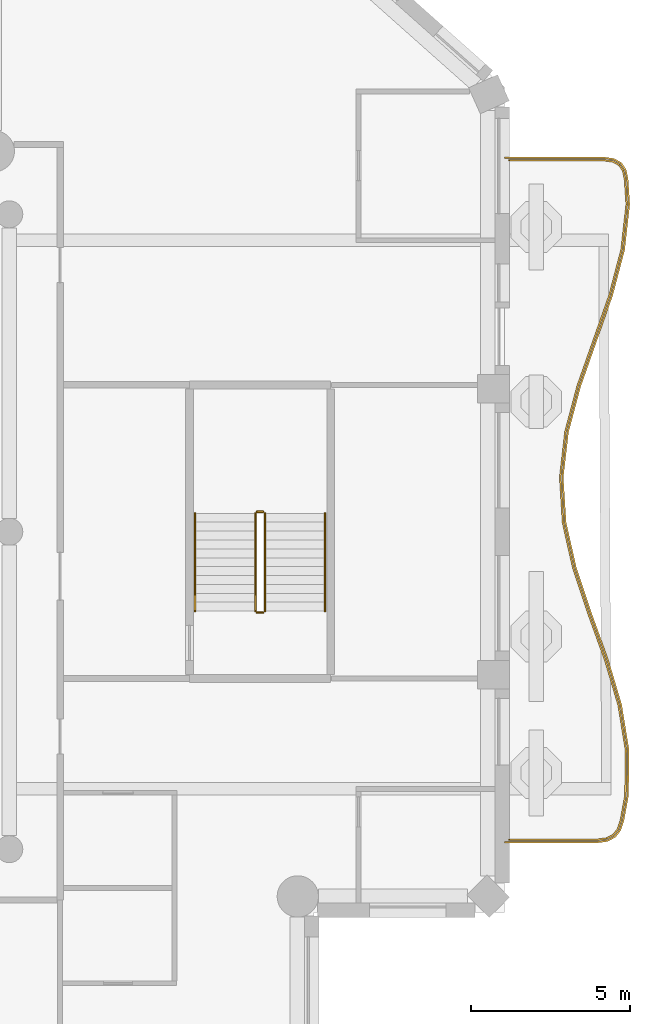
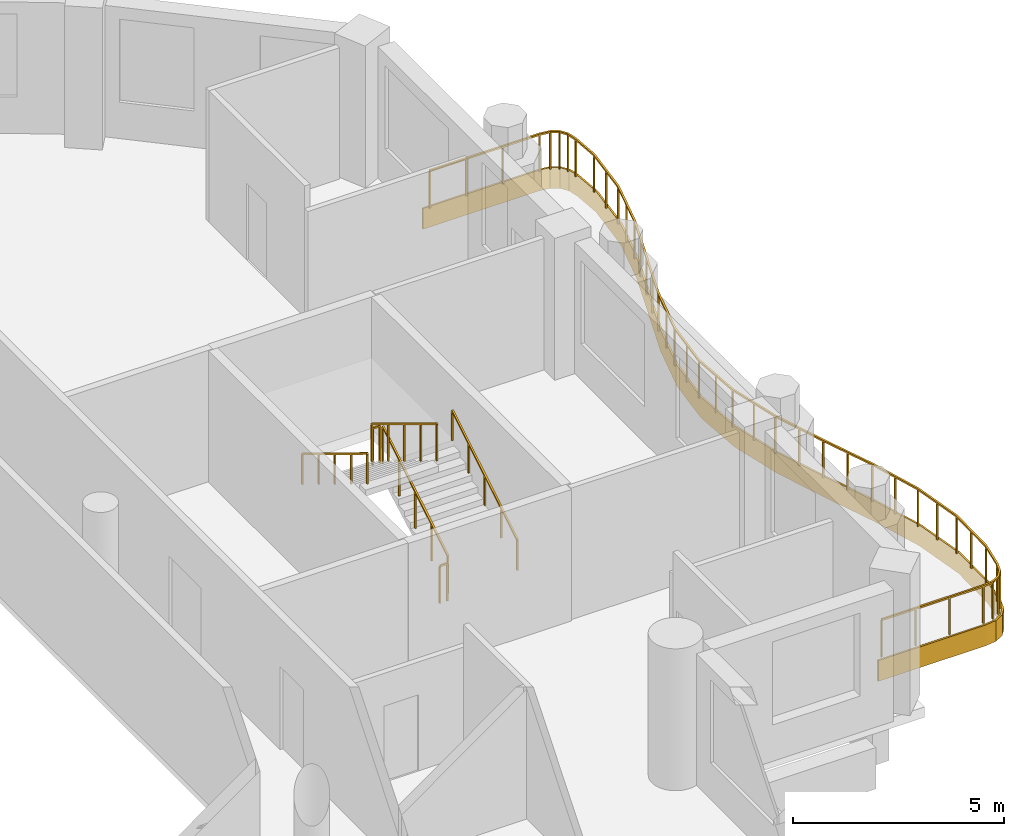
# One storey, part 13 of 15: 7 railings, 1 covering.
"""IFC4 building model written with IfcOpenShell, lengths in metres."""

import ifcopenshell
import ifcopenshell.guid

model = None  # the IFC model being written
_history = None  # IfcOwnerHistory: only IFC2X3 demands one
_inside = {}  # id of a spatial element -> (the spatial element, [elements in it])
_under = {}  # id of a project, library or spatial element -> (it, [spatial elements below it])
_declared = {}  # id of a project -> (the project, [libraries it declares])
_typed = {}  # id of a type object -> (the type object, [elements of that type])
_made_of = {}  # id of a material, layer set ... -> (it, [elements and type objects made of it])


def new_model(schema):
    """Start an empty IFC model of exactly this schema.

    Asked for "IFC4X3", IfcOpenShell would pick the latest addendum, in which some entities
    have other attributes; the version numbers below select the first issue.
    IFC2X3 requires an IfcOwnerHistory on every rooted entity: one is made here for all.
    """
    global model, _history
    if schema == "IFC4X3":
        model = ifcopenshell.file(schema_version=(4, 3, 0, 0))
    else:
        model = ifcopenshell.file(schema=schema)
    _inside.clear()
    _under.clear()
    _declared.clear()
    _typed.clear()
    _made_of.clear()
    _history = None
    if model.schema == "IFC2X3":
        org = make("IfcOrganization", Name="unknown")
        user = make(
            "IfcPersonAndOrganization",
            ThePerson=make("IfcPerson", FamilyName="unknown"),
            TheOrganization=org,
        )
        app = make(
            "IfcApplication",
            ApplicationDeveloper=org,
            Version="unknown",
            ApplicationFullName="unknown",
            ApplicationIdentifier="unknown",
        )
        _history = make(
            "IfcOwnerHistory",
            OwningUser=user,
            OwningApplication=app,
            ChangeAction="ADDED",
            CreationDate=0,
        )
    return model


def make(cls, **values):
    """One entity of the class cls with the attributes given. An attribute that is None is left unset."""
    return model.create_entity(
        cls, **{name: value for name, value in values.items() if value is not None}
    )


def rooted(cls, **values):
    """An entity with a GlobalId (a new one), such as an element, a storey or a relation."""
    return make(cls, GlobalId=ifcopenshell.guid.new(), OwnerHistory=_history, **values)


def si_unit(unit_type, name, prefix=None):
    """IfcSIUnit, for example si_unit("LENGTHUNIT", "METRE", prefix="MILLI")."""
    return make("IfcSIUnit", UnitType=unit_type, Prefix=prefix, Name=name)


def assignment(units):
    """IfcUnitAssignment: the units of a project."""
    return None if units is None else make("IfcUnitAssignment", Units=units)


def point(xyz):
    """IfcCartesianPoint."""
    return None if xyz is None else make("IfcCartesianPoint", Coordinates=xyz)


def direction(xyz):
    """IfcDirection."""
    return None if xyz is None else make("IfcDirection", DirectionRatios=xyz)


def frame(location, z_axis=None, x_axis=None):
    """IfcAxis2Placement3D, a coordinate frame: its origin and axes. An axis left out is left unset."""
    return make(
        "IfcAxis2Placement3D",
        Location=point(location),
        Axis=direction(z_axis),
        RefDirection=direction(x_axis),
    )


def frame_2d(location, x_axis=None):
    """IfcAxis2Placement2D, a coordinate frame in the plane: its origin and x axis."""
    return make(
        "IfcAxis2Placement2D", Location=point(location), RefDirection=direction(x_axis)
    )


def origin():
    """The frame at (0, 0, 0) with its axes left unset."""
    return frame((0.0, 0.0, 0.0))


def origin_2d():
    """The frame at (0, 0) in the plane with its x axis left unset."""
    return frame_2d((0.0, 0.0))


def place(relative_to, where):
    """IfcLocalPlacement: puts the frame where relative to a parent placement (None: the world)."""
    return make(
        "IfcLocalPlacement", PlacementRelTo=relative_to, RelativePlacement=where
    )


def context(
    kind, dimensions, precision=None, world=None, true_north=None, identifier=None
):
    """IfcGeometricRepresentationContext, for example the 3D "Model" context."""
    return make(
        "IfcGeometricRepresentationContext",
        ContextIdentifier=identifier,
        ContextType=kind,
        CoordinateSpaceDimension=dimensions,
        Precision=precision,
        WorldCoordinateSystem=world,
        TrueNorth=true_north,
    )


def subcontext(parent, identifier, kind, view, scale=None):
    """IfcGeometricRepresentationSubContext, for example "Body" below "Model"."""
    return make(
        "IfcGeometricRepresentationSubContext",
        ContextIdentifier=identifier,
        ContextType=kind,
        ParentContext=parent,
        TargetScale=scale,
        TargetView=view,
    )


def project(units=None, contexts=None):
    """IfcProject with its units and contexts."""
    return rooted(
        "IfcProject",
        Name="project",
        RepresentationContexts=contexts,
        UnitsInContext=assignment(units),
    )


def spatial(cls, under=None, at=None, **own):
    """A site, building, storey or space (cls), placed at a placement, below another one or the project."""
    s = rooted(cls, ObjectPlacement=at, **own)
    if under is not None:
        _under.setdefault(under.id(), (under, []))[1].append(s)
    return s


def polyline(points):
    """IfcPolyline through the points."""
    return make("IfcPolyline", Points=[point(p) for p in points])


def profile(cls, at=None, kind="AREA", **sizes):
    """A parametric profile (cls). Its sizes go by their IFC names, for example OverallWidth=200.0."""
    return make(cls, ProfileType=kind, Position=at, **sizes)


def rectangle(**sizes):
    """IfcRectangleProfileDef."""
    return profile("IfcRectangleProfileDef", **sizes)


def outline(outer, holes=None, kind="AREA"):
    """IfcArbitraryClosedProfileDef: a profile drawn as a closed curve; with holes, ...WithVoids."""
    if holes is None:
        return make("IfcArbitraryClosedProfileDef", ProfileType=kind, OuterCurve=outer)
    return make(
        "IfcArbitraryProfileDefWithVoids",
        ProfileType=kind,
        OuterCurve=outer,
        InnerCurves=holes,
    )


def extrude(swept, where, along, depth):
    """IfcExtrudedAreaSolid: the profile swept, set in the frame where, extruded along a direction by depth."""
    return make(
        "IfcExtrudedAreaSolid",
        SweptArea=swept,
        Position=where,
        ExtrudedDirection=direction(along),
        Depth=depth,
    )


def shape(context_of_items, identifier, shape_type, items):
    """IfcShapeRepresentation: the items that make up one representation, for example the "Body"."""
    return make(
        "IfcShapeRepresentation",
        ContextOfItems=context_of_items,
        RepresentationIdentifier=identifier,
        RepresentationType=shape_type,
        Items=items,
    )


def material(Name=None, Category=None):
    """IfcMaterial."""
    return make("IfcMaterial", Name=Name, Category=Category)


def layer(
    of_material, thickness, ventilated=None, Name=None, Category=None, Priority=None
):
    """IfcMaterialLayer: one layer of a wall or slab, of a material (None: an air gap)."""
    return make(
        "IfcMaterialLayer",
        Material=of_material,
        LayerThickness=thickness,
        IsVentilated=ventilated,
        Name=Name,
        Category=Category,
        Priority=Priority,
    )


def layer_set(layers, Name=None):
    """IfcMaterialLayerSet."""
    return make("IfcMaterialLayerSet", MaterialLayers=layers, LayerSetName=Name)


def made_of(thing, what):
    """Note that an element or type object is made of a material, layer set ...; save() writes the relation."""
    if what is not None:
        _made_of.setdefault(what.id(), (what, []))[1].append(thing)
    return thing


def type_object(cls, material=None, **own):
    """A type object (cls), such as IfcWallType, which elements share."""
    return made_of(rooted(cls, **own), material)


def element(
    cls,
    number,
    at=None,
    inside=None,
    cuts=None,
    type_object=None,
    material=None,
    context=None,
    identifier="Body",
    shape_type=None,
    held_by="IfcProductDefinitionShape",
    body=None,
    shapes=None,
    **own,
):
    """One element of the class cls, such as IfcWall. Its Tag is "e" and its number.

    at: its placement. inside: the storey or other place that contains it. cuts: it is an
    opening in that element (IfcRelVoidsElement). A single representation is given by context,
    identifier, shape_type and body (its items); several are given by shapes. held_by: the class
    of the entity that holds the representations. save() writes the other relations.
    """
    e = rooted(cls, Tag="e%d" % number, ObjectPlacement=at, **own)
    if body is not None:
        shapes = [shape(context, identifier, shape_type, body)]
    if shapes is not None:
        e.Representation = make(held_by, Representations=shapes)
    if inside is not None:
        _inside.setdefault(inside.id(), (inside, []))[1].append(e)
    if cuts is not None:
        rooted(
            "IfcRelVoidsElement", RelatingBuildingElement=cuts, RelatedOpeningElement=e
        )
    if type_object is not None:
        _typed.setdefault(type_object.id(), (type_object, []))[1].append(e)
    return made_of(e, material)


def aggregate(whole, parts):
    """IfcRelAggregates: a whole, such as a stair, and the parts it consists of."""
    return rooted("IfcRelAggregates", RelatingObject=whole, RelatedObjects=parts)


def save(model, path):
    """Write the relations noted so far, then the file.

    IfcRelAggregates (storeys below a building ...), IfcRelContainedInSpatialStructure (elements
    in a storey), IfcRelDefinesByType, IfcRelAssociatesMaterial and IfcRelDeclares: one each for
    every whole, place, type object, material and project.
    """
    for whole, parts in _under.values():
        aggregate(whole, parts)
    for where, things in _inside.values():
        rooted(
            "IfcRelContainedInSpatialStructure",
            RelatedElements=things,
            RelatingStructure=where,
        )
    for kind, things in _typed.values():
        rooted("IfcRelDefinesByType", RelatedObjects=things, RelatingType=kind)
    for what, things in _made_of.values():
        rooted("IfcRelAssociatesMaterial", RelatedObjects=things, RelatingMaterial=what)
    for by, libraries in _declared.values():
        rooted("IfcRelDeclares", RelatingContext=by, RelatedDefinitions=libraries)
    model.write(path)


model = new_model("IFC4")

# Units and contexts
model_context = context("Model", 3, precision=1e-05, world=origin(), true_north=direction((0.0, 1.0)))
body_context = subcontext(model_context, "Body", "Model", "MODEL_VIEW")
ifc_project = project(units=[si_unit("LENGTHUNIT", "METRE"), si_unit("AREAUNIT", "SQUARE_METRE"), si_unit("VOLUMEUNIT", "CUBIC_METRE"), si_unit("PLANEANGLEUNIT", "RADIAN"), si_unit("MASSUNIT", "GRAM", prefix="KILO")], contexts=[model_context])

# Site, building, storey
site_placement = place(None, origin())
site = spatial("IfcSite", under=ifc_project, at=site_placement, CompositionType="ELEMENT")
building_placement = place(site_placement, origin())
building = spatial("IfcBuilding", under=site, at=building_placement, Name="Cypress Arch Tower", CompositionType="ELEMENT")
storey_placement = place(building_placement, frame((0.0, 0.0, 292.60009765625)))
storey = spatial("IfcBuildingStorey", under=building, at=storey_placement, Name="L66", CompositionType="ELEMENT", Elevation=292.60009765625)

# Covering
ifc_material_1 = material(Name="White powder-coated aluminium fascia", Category="aluminium")
ifc_layer = layer(ifc_material_1, 0.050048828125)
ifc_layer_set = layer_set([ifc_layer], Name="Balcony fascia BF50")
covering_type = type_object("IfcCoveringType", Name="Balcony fascia BF50", PredefinedType="CLADDING", material=ifc_layer_set)
covering_placement = place(storey_placement, frame((0.0, 0.0, -0.60009765625)))
element("IfcCovering", 1, at=covering_placement, inside=storey, type_object=covering_type, Name="Balcony fascia L66-C17", PredefinedType="CLADDING", context=body_context, shape_type="SweptSolid", body=[
    extrude(outline(polyline([(27.7587890625, 11.800048828125), (28.057373046875, 11.7578125), (28.285888671875, 11.626220703125), (28.4326171875, 11.406982421875), (28.49462890625, 11.11181640625), (28.548095703125, 10.3154296875), (28.386474609375, 8.8740234375), (28.0068359375, 7.435302734375), (27.503173828125, 6.0), (26.99951171875, 4.568603515625), (26.61865234375, 3.140625), (26.453125, 1.71533203125), (26.54296875, 0.29052734375), (26.8662109375, -1.136474609375), (27.344970703125, -2.56689453125), (27.8623046875, -4.0009765625), (28.291259765625, -5.438720703125), (28.52587890625, -6.879638671875), (28.507568359375, -8.321533203125), (28.3603515625, -9.117431640625), (28.26318359375, -9.411376953125), (28.091064453125, -9.6279296875), (27.8466796875, -9.758056640625), (27.5400390625, -9.800048828125), (24.60107421875, -9.800048828125), (24.60107421875, -9.75), (27.53662109375, -9.75), (27.8310546875, -9.709716796875), (28.058349609375, -9.5888671875), (28.218505859375, -9.38720703125), (28.311767578125, -9.10498046875), (28.45751953125, -8.316650390625), (28.475830078125, -6.88330078125), (28.242431640625, -5.449951171875), (27.81494140625, -4.0166015625), (27.2978515625, -2.583251953125), (26.818115234375, -1.14990234375), (26.4931640625, 0.283447265625), (26.403076171875, 1.716552734375), (26.5693359375, 3.14990234375), (26.95166015625, 4.583251953125), (27.4560546875, 6.0166015625), (27.958984375, 7.449951171875), (28.337158203125, 8.88330078125), (28.497802734375, 10.316650390625), (28.44482421875, 11.10498046875), (28.385498046875, 11.38720703125), (28.250732421875, 11.5888671875), (28.040771484375, 11.709716796875), (27.755126953125, 11.75), (24.60107421875, 11.75), (24.60107421875, 11.800048828125), (27.7587890625, 11.800048828125)])), origin(), (0.0, 0.0, 1.0), 0.60009765625),
])

# Railings
ifc_material_2 = material(Name="Powder-coated steel posts and rods, 100 mm clear between rods", Category="steel")
railing_type_1 = type_object("IfcRailingType", Name="Balcony guard GR1100", PredefinedType="GUARDRAIL", material=ifc_material_2)
railing_1_placement = place(storey_placement, frame((24.75, 11.699951171875, 0.0)))
element("IfcRailing", 2, at=railing_1_placement, inside=storey, type_object=railing_type_1, Name="Balcony guard L66-C17", PredefinedType="GUARDRAIL", context=body_context, shape_type="SweptSolid", body=[
    extrude(rectangle(XDim=0.050048828125, YDim=0.050048828125, at=origin_2d()), frame((0.0, 0.0, 1.0751953125), z_axis=(1.0, 0.0, 0.0), x_axis=(0.0, 1.0, 0.0)), (0.0, 0.0, 1.0), 3.001708984375),
    extrude(rectangle(XDim=0.050048828125, YDim=0.050048828125, at=origin_2d()), frame((3.001708984375, 0.0, 1.0751953125), z_axis=(0.990248929867, -0.139309213252, 0.0), x_axis=(0.139309213252, 0.990248929867, 0.0)), (0.0, 0.0, 1.0), 0.275146484375),
    extrude(rectangle(XDim=0.050048828125, YDim=0.050048828125, at=origin_2d()), frame((3.274169921875, -0.038330078125, 1.0751953125), z_axis=(0.866607990837, -0.498989569246, 0.0), x_axis=(0.498989569246, 0.866607990837, 0.0)), (0.0, 0.0, 1.0), 0.22119140625),
    extrude(rectangle(XDim=0.050048828125, YDim=0.050048828125, at=origin_2d()), frame((3.4658203125, -0.148681640625, 1.0751953125), z_axis=(0.555464479629, -0.831540264732, 0.0), x_axis=(0.831540264732, 0.555464479629, 0.0)), (0.0, 0.0, 1.0), 0.22119140625),
    extrude(rectangle(XDim=0.050048828125, YDim=0.050048828125, at=origin_2d()), frame((3.588623046875, -0.33251953125, 1.0751953125), z_axis=(0.205831624555, -0.978587421916, 0.0), x_axis=(0.978587421916, 0.205831624555, 0.0)), (0.0, 0.0, 1.0), 0.275146484375),
    extrude(rectangle(XDim=0.050048828125, YDim=0.050048828125, at=origin_2d()), frame((3.645263671875, -0.601806640625, 1.0751953125), z_axis=(0.067119886517, -0.997744917719, 0.0), x_axis=(0.997744917719, 0.067119886517, 0.0)), (0.0, 0.0, 1.0), 0.781982421875),
    extrude(rectangle(XDim=0.050048828125, YDim=0.050048828125, at=origin_2d()), frame((3.69775390625, -1.382080078125, 1.0751953125), z_axis=(-0.111496397554, -0.993764838044, 0.0), x_axis=(0.993764838044, -0.111496397554, 0.0)), (0.0, 0.0, 1.0), 1.434326171875),
    extrude(rectangle(XDim=0.050048828125, YDim=0.050048828125, at=origin_2d()), frame((3.537841796875, -2.807373046875, 1.0751953125), z_axis=(-0.255079131394, -0.966920181156, 0.0), x_axis=(0.966920181156, -0.255079131394, 0.0)), (0.0, 0.0, 1.0), 1.476806640625),
    extrude(rectangle(XDim=0.050048828125, YDim=0.050048828125, at=origin_2d()), frame((3.1611328125, -4.2353515625, 1.0751953125), z_axis=(-0.331060058364, -0.943609685069, 0.0), x_axis=(0.943609685069, -0.331060058364, 0.0)), (0.0, 0.0, 1.0), 1.516845703125),
    extrude(rectangle(XDim=0.050048828125, YDim=0.050048828125, at=origin_2d()), frame((2.658935546875, -5.666748046875, 1.0751953125), z_axis=(-0.332022561936, -0.943271444689, 0.0), x_axis=(0.943271444689, -0.332022561936, 0.0)), (0.0, 0.0, 1.0), 1.521484375),
    extrude(rectangle(XDim=0.050048828125, YDim=0.050048828125, at=origin_2d()), frame((2.15380859375, -7.101806640625, 1.0751953125), z_axis=(-0.257591212214, -0.966253986998, 0.0), x_axis=(0.966253986998, -0.257591212214, 0.0)), (0.0, 0.0, 1.0), 1.489013671875),
    extrude(rectangle(XDim=0.050048828125, YDim=0.050048828125, at=origin_2d()), frame((1.770263671875, -8.54052734375, 1.0751953125), z_axis=(-0.11541592735, -0.993317252299, 0.0), x_axis=(0.993317252299, -0.11541592735, 0.0)), (0.0, 0.0, 1.0), 1.451171875),
    extrude(rectangle(XDim=0.050048828125, YDim=0.050048828125, at=origin_2d()), frame((1.602783203125, -9.98193359375, 1.0751953125), z_axis=(0.062862218752, -0.99802221491, 0.0), x_axis=(0.99802221491, 0.062862218752, 0.0)), (0.0, 0.0, 1.0), 1.44482421875),
    extrude(rectangle(XDim=0.050048828125, YDim=0.050048828125, at=origin_2d()), frame((1.693603515625, -11.423828125, 1.0751953125), z_axis=(0.220956257164, -0.975283718935, 0.0), x_axis=(0.975283718935, 0.220956257164, 0.0)), (0.0, 0.0, 1.0), 1.47607421875),
    extrude(rectangle(XDim=0.050048828125, YDim=0.050048828125, at=origin_2d()), frame((2.019775390625, -12.863525390625, 1.0751953125), z_axis=(0.317388115684, -0.948295726038, 0.0), x_axis=(0.948295726038, 0.317388115684, 0.0)), (0.0, 0.0, 1.0), 1.5146484375),
    extrude(rectangle(XDim=0.050048828125, YDim=0.050048828125, at=origin_2d()), frame((2.50048828125, -14.2998046875, 1.0751953125), z_axis=(0.339412006788, -0.940637810025, 0.0), x_axis=(0.940637810025, 0.339412006788, 0.0)), (0.0, 0.0, 1.0), 1.522705078125),
    extrude(rectangle(XDim=0.050048828125, YDim=0.050048828125, at=origin_2d()), frame((3.017333984375, -15.732177734375, 1.0751953125), z_axis=(0.285860513055, -0.958271238781, 0.0), x_axis=(0.958271238781, 0.285860513055, 0.0)), (0.0, 0.0, 1.0), 1.4912109375),
    extrude(rectangle(XDim=0.050048828125, YDim=0.050048828125, at=origin_2d()), frame((3.443603515625, -17.1611328125, 1.0751953125), z_axis=(0.160725377825, -0.986999165614, 0.0), x_axis=(0.986999165614, 0.160725377825, 0.0)), (0.0, 0.0, 1.0), 1.444580078125),
    extrude(rectangle(XDim=0.050048828125, YDim=0.050048828125, at=origin_2d()), frame((3.67578125, -18.5869140625, 1.0751953125), z_axis=(-0.012678898534, -0.999919619535, 0.0), x_axis=(0.999919619535, -0.012678898534, 0.0)), (0.0, 0.0, 1.0), 1.4248046875),
    extrude(rectangle(XDim=0.050048828125, YDim=0.050048828125, at=origin_2d()), frame((3.65771484375, -20.01171875, 1.0751953125), z_axis=(-0.18202319823, -0.983294236384, 0.0), x_axis=(0.983294236384, -0.18202319823, 0.0)), (0.0, 0.0, 1.0), 0.7939453125),
    extrude(rectangle(XDim=0.050048828125, YDim=0.050048828125, at=origin_2d()), frame((3.51318359375, -20.79248046875, 1.0751953125), z_axis=(-0.313655656789, -0.949536797056, 0.0), x_axis=(0.949536797056, -0.313655656789, 0.0)), (0.0, 0.0, 1.0), 0.284912109375),
    extrude(rectangle(XDim=0.050048828125, YDim=0.050048828125, at=origin_2d()), frame((3.423828125, -21.06298828125, 1.0751953125), z_axis=(-0.622066974814, -0.782964034197, 0.0), x_axis=(0.782964034197, -0.622066974814, 0.0)), (0.0, 0.0, 1.0), 0.23828125),
    extrude(rectangle(XDim=0.050048828125, YDim=0.050048828125, at=origin_2d()), frame((3.275634765625, -21.24951171875, 1.0751953125), z_axis=(-0.882863343579, -0.46962997835, 0.0), x_axis=(0.46962997835, -0.882863343579, 0.0)), (0.0, 0.0, 1.0), 0.238037109375),
    extrude(rectangle(XDim=0.050048828125, YDim=0.050048828125, at=origin_2d()), frame((3.0654296875, -21.361328125, 1.0751953125), z_axis=(-0.99078839666, -0.135419175322, 0.0), x_axis=(0.135419175322, -0.99078839666, 0.0)), (0.0, 0.0, 1.0), 0.284912109375),
    extrude(rectangle(XDim=0.050048828125, YDim=0.050048828125, at=origin_2d()), frame((2.783203125, -21.39990234375, 1.0751953125), z_axis=(-1.0, 0.0, 0.0), x_axis=(0.0, -1.0, 0.0)), (0.0, 0.0, 1.0), 2.783203125),
    extrude(rectangle(XDim=0.0400390625, YDim=0.0400390625, at=origin_2d()), origin(), (0.0, 0.0, 1.0), 1.050048828125),
    extrude(rectangle(XDim=0.0400390625, YDim=0.0400390625, at=origin_2d()), frame((1.00048828125, 0.0, 0.0)), (0.0, 0.0, 1.0), 1.050048828125),
    extrude(rectangle(XDim=0.0400390625, YDim=0.0400390625, at=origin_2d()), frame((2.001220703125, 0.0, 0.0)), (0.0, 0.0, 1.0), 1.050048828125),
    extrude(rectangle(XDim=0.0400390625, YDim=0.0400390625, at=origin_2d()), frame((3.001708984375, 0.0, 0.0)), (0.0, 0.0, 1.0), 1.050048828125),
    extrude(rectangle(XDim=0.0400390625, YDim=0.0400390625, at=origin_2d()), frame((3.274169921875, -0.038330078125, 0.0)), (0.0, 0.0, 1.0), 1.050048828125),
    extrude(rectangle(XDim=0.0400390625, YDim=0.0400390625, at=origin_2d()), frame((3.4658203125, -0.148681640625, 0.0)), (0.0, 0.0, 1.0), 1.050048828125),
    extrude(rectangle(XDim=0.0400390625, YDim=0.0400390625, at=origin_2d()), frame((3.588623046875, -0.33251953125, 0.0)), (0.0, 0.0, 1.0), 1.050048828125),
    extrude(rectangle(XDim=0.0400390625, YDim=0.0400390625, at=origin_2d()), frame((3.645263671875, -0.601806640625, 0.0)), (0.0, 0.0, 1.0), 1.050048828125),
    extrude(rectangle(XDim=0.0400390625, YDim=0.0400390625, at=origin_2d()), frame((3.69775390625, -1.382080078125, 0.0)), (0.0, 0.0, 1.0), 1.050048828125),
    extrude(rectangle(XDim=0.0400390625, YDim=0.0400390625, at=origin_2d()), frame((3.61767578125, -2.0947265625, 0.0)), (0.0, 0.0, 1.0), 1.050048828125),
    extrude(rectangle(XDim=0.0400390625, YDim=0.0400390625, at=origin_2d()), frame((3.537841796875, -2.807373046875, 0.0)), (0.0, 0.0, 1.0), 1.050048828125),
    extrude(rectangle(XDim=0.0400390625, YDim=0.0400390625, at=origin_2d()), frame((3.349609375, -3.521484375, 0.0)), (0.0, 0.0, 1.0), 1.050048828125),
    extrude(rectangle(XDim=0.0400390625, YDim=0.0400390625, at=origin_2d()), frame((3.1611328125, -4.2353515625, 0.0)), (0.0, 0.0, 1.0), 1.050048828125),
    extrude(rectangle(XDim=0.0400390625, YDim=0.0400390625, at=origin_2d()), frame((2.91015625, -4.951171875, 0.0)), (0.0, 0.0, 1.0), 1.050048828125),
    extrude(rectangle(XDim=0.0400390625, YDim=0.0400390625, at=origin_2d()), frame((2.658935546875, -5.666748046875, 0.0)), (0.0, 0.0, 1.0), 1.050048828125),
    extrude(rectangle(XDim=0.0400390625, YDim=0.0400390625, at=origin_2d()), frame((2.40625, -6.38427734375, 0.0)), (0.0, 0.0, 1.0), 1.050048828125),
    extrude(rectangle(XDim=0.0400390625, YDim=0.0400390625, at=origin_2d()), frame((2.15380859375, -7.101806640625, 0.0)), (0.0, 0.0, 1.0), 1.050048828125),
    extrude(rectangle(XDim=0.0400390625, YDim=0.0400390625, at=origin_2d()), frame((1.9619140625, -7.8212890625, 0.0)), (0.0, 0.0, 1.0), 1.050048828125),
    extrude(rectangle(XDim=0.0400390625, YDim=0.0400390625, at=origin_2d()), frame((1.770263671875, -8.54052734375, 0.0)), (0.0, 0.0, 1.0), 1.050048828125),
    extrude(rectangle(XDim=0.0400390625, YDim=0.0400390625, at=origin_2d()), frame((1.6865234375, -9.26123046875, 0.0)), (0.0, 0.0, 1.0), 1.050048828125),
    extrude(rectangle(XDim=0.0400390625, YDim=0.0400390625, at=origin_2d()), frame((1.602783203125, -9.98193359375, 0.0)), (0.0, 0.0, 1.0), 1.050048828125),
    extrude(rectangle(XDim=0.0400390625, YDim=0.0400390625, at=origin_2d()), frame((1.648193359375, -10.702880859375, 0.0)), (0.0, 0.0, 1.0), 1.050048828125),
    extrude(rectangle(XDim=0.0400390625, YDim=0.0400390625, at=origin_2d()), frame((1.693603515625, -11.423828125, 0.0)), (0.0, 0.0, 1.0), 1.050048828125),
    extrude(rectangle(XDim=0.0400390625, YDim=0.0400390625, at=origin_2d()), frame((1.856689453125, -12.1435546875, 0.0)), (0.0, 0.0, 1.0), 1.050048828125),
    extrude(rectangle(XDim=0.0400390625, YDim=0.0400390625, at=origin_2d()), frame((2.019775390625, -12.863525390625, 0.0)), (0.0, 0.0, 1.0), 1.050048828125),
    extrude(rectangle(XDim=0.0400390625, YDim=0.0400390625, at=origin_2d()), frame((2.26025390625, -13.58154296875, 0.0)), (0.0, 0.0, 1.0), 1.050048828125),
    extrude(rectangle(XDim=0.0400390625, YDim=0.0400390625, at=origin_2d()), frame((2.50048828125, -14.2998046875, 0.0)), (0.0, 0.0, 1.0), 1.050048828125),
    extrude(rectangle(XDim=0.0400390625, YDim=0.0400390625, at=origin_2d()), frame((2.7587890625, -15.01611328125, 0.0)), (0.0, 0.0, 1.0), 1.050048828125),
    extrude(rectangle(XDim=0.0400390625, YDim=0.0400390625, at=origin_2d()), frame((3.017333984375, -15.732177734375, 0.0)), (0.0, 0.0, 1.0), 1.050048828125),
    extrude(rectangle(XDim=0.0400390625, YDim=0.0400390625, at=origin_2d()), frame((3.23046875, -16.44677734375, 0.0)), (0.0, 0.0, 1.0), 1.050048828125),
    extrude(rectangle(XDim=0.0400390625, YDim=0.0400390625, at=origin_2d()), frame((3.443603515625, -17.1611328125, 0.0)), (0.0, 0.0, 1.0), 1.050048828125),
    extrude(rectangle(XDim=0.0400390625, YDim=0.0400390625, at=origin_2d()), frame((3.5595703125, -17.8740234375, 0.0)), (0.0, 0.0, 1.0), 1.050048828125),
    extrude(rectangle(XDim=0.0400390625, YDim=0.0400390625, at=origin_2d()), frame((3.67578125, -18.5869140625, 0.0)), (0.0, 0.0, 1.0), 1.050048828125),
    extrude(rectangle(XDim=0.0400390625, YDim=0.0400390625, at=origin_2d()), frame((3.666748046875, -19.29931640625, 0.0)), (0.0, 0.0, 1.0), 1.050048828125),
    extrude(rectangle(XDim=0.0400390625, YDim=0.0400390625, at=origin_2d()), frame((3.65771484375, -20.01171875, 0.0)), (0.0, 0.0, 1.0), 1.050048828125),
    extrude(rectangle(XDim=0.0400390625, YDim=0.0400390625, at=origin_2d()), frame((3.51318359375, -20.79248046875, 0.0)), (0.0, 0.0, 1.0), 1.050048828125),
    extrude(rectangle(XDim=0.0400390625, YDim=0.0400390625, at=origin_2d()), frame((3.423828125, -21.06298828125, 0.0)), (0.0, 0.0, 1.0), 1.050048828125),
    extrude(rectangle(XDim=0.0400390625, YDim=0.0400390625, at=origin_2d()), frame((3.275634765625, -21.24951171875, 0.0)), (0.0, 0.0, 1.0), 1.050048828125),
    extrude(rectangle(XDim=0.0400390625, YDim=0.0400390625, at=origin_2d()), frame((3.0654296875, -21.361328125, 0.0)), (0.0, 0.0, 1.0), 1.050048828125),
    extrude(rectangle(XDim=0.0400390625, YDim=0.0400390625, at=origin_2d()), frame((2.783203125, -21.39990234375, 0.0)), (0.0, 0.0, 1.0), 1.050048828125),
    extrude(rectangle(XDim=0.0400390625, YDim=0.0400390625, at=origin_2d()), frame((1.85546875, -21.39990234375, 0.0)), (0.0, 0.0, 1.0), 1.050048828125),
    extrude(rectangle(XDim=0.0400390625, YDim=0.0400390625, at=origin_2d()), frame((0.927734375, -21.39990234375, 0.0)), (0.0, 0.0, 1.0), 1.050048828125),
    extrude(rectangle(XDim=0.0400390625, YDim=0.0400390625, at=origin_2d()), frame((0.0, -21.39990234375, 0.0)), (0.0, 0.0, 1.0), 1.050048828125),
])
ifc_material_3 = material(Name="Black powder-coated steel square bar 48 mm", Category="steel")
railing_type_2 = type_object("IfcRailingType", Name="Stair handrail HR1", PredefinedType="HANDRAIL", material=ifc_material_3)
railing_2_placement = place(storey_placement, frame((18.949951171875, -2.5, 0.170654296875)))
element("IfcRailing", 3, at=railing_2_placement, inside=storey, type_object=railing_type_2, Name="L66 C stair handrail 1", PredefinedType="HANDRAIL", context=body_context, shape_type="SweptSolid", body=[
    extrude(rectangle(XDim=0.048095703125, YDim=0.048095703125, at=origin_2d()), frame((0.0, 0.0, 0.8759765625), z_axis=(0.0, 0.853666305674, 0.52082035152), x_axis=(-1.0, 0.0, 0.0)), (0.0, 0.0, 1.0), 3.608154296875),
    extrude(rectangle(XDim=0.0419921875, YDim=0.0419921875, at=origin_2d()), origin(), (0.0, 0.0, 1.0), 0.851806640625),
    extrude(rectangle(XDim=0.0419921875, YDim=0.0419921875, at=origin_2d()), frame((0.0, 0.77001953125, 0.4697265625)), (0.0, 0.0, 1.0), 0.851806640625),
    extrude(rectangle(XDim=0.0419921875, YDim=0.0419921875, at=origin_2d()), frame((0.0, 1.5400390625, 0.939453125)), (0.0, 0.0, 1.0), 0.851806640625),
    extrude(rectangle(XDim=0.0419921875, YDim=0.0419921875, at=origin_2d()), frame((0.0, 2.31005859375, 1.409423828125)), (0.0, 0.0, 1.0), 0.851806640625),
    extrude(rectangle(XDim=0.0419921875, YDim=0.0419921875, at=origin_2d()), frame((0.0, 3.080078125, 1.879150390625)), (0.0, 0.0, 1.0), 0.851806640625),
])
railing_3_placement = place(storey_placement, frame((14.85009765625, 0.580078125, 2.220703125)))
element("IfcRailing", 4, at=railing_3_placement, inside=storey, type_object=railing_type_2, Name="L66 C stair handrail 2", PredefinedType="HANDRAIL", context=body_context, shape_type="SweptSolid", body=[
    extrude(rectangle(XDim=0.048095703125, YDim=0.048095703125, at=origin_2d()), frame((0.0, 0.0, 0.8759765625), z_axis=(0.0, -0.853666305674, 0.52082035152), x_axis=(1.0, 0.0, 0.0)), (0.0, 0.0, 1.0), 3.608154296875),
    extrude(rectangle(XDim=0.0419921875, YDim=0.0419921875, at=origin_2d()), origin(), (0.0, 0.0, 1.0), 0.851806640625),
    extrude(rectangle(XDim=0.0419921875, YDim=0.0419921875, at=origin_2d()), frame((0.0, -0.77001953125, 0.4697265625)), (0.0, 0.0, 1.0), 0.851806640625),
    extrude(rectangle(XDim=0.0419921875, YDim=0.0419921875, at=origin_2d()), frame((0.0, -1.5400390625, 0.939453125)), (0.0, 0.0, 1.0), 0.851806640625),
    extrude(rectangle(XDim=0.0419921875, YDim=0.0419921875, at=origin_2d()), frame((0.0, -2.31005859375, 1.409423828125)), (0.0, 0.0, 1.0), 0.851806640625),
    extrude(rectangle(XDim=0.0419921875, YDim=0.0419921875, at=origin_2d()), frame((0.0, -3.080078125, 1.879150390625)), (0.0, 0.0, 1.0), 0.851806640625),
])
ifc_material_4 = material(Name="Black powder-coated steel balusters", Category="steel")
railing_type_3 = type_object("IfcRailingType", Name="Stair well guard G1", PredefinedType="GUARDRAIL", material=ifc_material_4)
railing_4_placement = place(storey_placement, frame((17.050048828125, -2.5, 0.170654296875)))
element("IfcRailing", 5, at=railing_4_placement, inside=storey, type_object=railing_type_3, Name="L66 C stair guard 1", PredefinedType="GUARDRAIL", context=body_context, shape_type="SweptSolid", body=[
    extrude(rectangle(XDim=0.048095703125, YDim=0.048095703125, at=origin_2d()), frame((0.0, 0.0, 1.076171875), z_axis=(0.0, 0.853666305674, 0.52082035152), x_axis=(-1.0, 0.0, 0.0)), (0.0, 0.0, 1.0), 3.608154296875),
    extrude(rectangle(XDim=0.0419921875, YDim=0.0419921875, at=origin_2d()), origin(), (0.0, 0.0, 1.0), 1.052001953125),
    extrude(rectangle(XDim=0.0419921875, YDim=0.0419921875, at=origin_2d()), frame((0.0, 0.77001953125, 0.4697265625)), (0.0, 0.0, 1.0), 1.052001953125),
    extrude(rectangle(XDim=0.0419921875, YDim=0.0419921875, at=origin_2d()), frame((0.0, 1.5400390625, 0.939453125)), (0.0, 0.0, 1.0), 1.052001953125),
    extrude(rectangle(XDim=0.0419921875, YDim=0.0419921875, at=origin_2d()), frame((0.0, 2.31005859375, 1.409423828125)), (0.0, 0.0, 1.0), 1.052001953125),
    extrude(rectangle(XDim=0.0419921875, YDim=0.0419921875, at=origin_2d()), frame((0.0, 3.080078125, 1.879150390625)), (0.0, 0.0, 1.0), 1.052001953125),
])
railing_5_placement = place(storey_placement, frame((17.0, 0.6298828125, 2.0498046875)))
element("IfcRailing", 6, at=railing_5_placement, inside=storey, type_object=railing_type_3, Name="L66 C stair guard 2", PredefinedType="GUARDRAIL", context=body_context, shape_type="SweptSolid", body=[
    extrude(rectangle(XDim=0.048095703125, YDim=0.048095703125, at=origin_2d()), frame((0.0, 0.0, 1.076171875), z_axis=(-1.0, 0.0, 0.0), x_axis=(0.0, -1.0, 0.0)), (0.0, 0.0, 1.0), 0.199951171875),
    extrude(rectangle(XDim=0.0419921875, YDim=0.0419921875, at=origin_2d()), origin(), (0.0, 0.0, 1.0), 1.052001953125),
    extrude(rectangle(XDim=0.0419921875, YDim=0.0419921875, at=origin_2d()), frame((-0.199951171875, 0.0, 0.0)), (0.0, 0.0, 1.0), 1.052001953125),
])
railing_6_placement = place(storey_placement, frame((16.75, 0.580078125, 2.220703125)))
element("IfcRailing", 7, at=railing_6_placement, inside=storey, type_object=railing_type_3, Name="L66 C stair guard 3", PredefinedType="GUARDRAIL", context=body_context, shape_type="SweptSolid", body=[
    extrude(rectangle(XDim=0.048095703125, YDim=0.048095703125, at=origin_2d()), frame((0.0, 0.0, 1.076171875), z_axis=(0.0, -0.853666305674, 0.52082035152), x_axis=(1.0, 0.0, 0.0)), (0.0, 0.0, 1.0), 3.608154296875),
    extrude(rectangle(XDim=0.0419921875, YDim=0.0419921875, at=origin_2d()), origin(), (0.0, 0.0, 1.0), 1.052001953125),
    extrude(rectangle(XDim=0.0419921875, YDim=0.0419921875, at=origin_2d()), frame((0.0, -0.77001953125, 0.4697265625)), (0.0, 0.0, 1.0), 1.052001953125),
    extrude(rectangle(XDim=0.0419921875, YDim=0.0419921875, at=origin_2d()), frame((0.0, -1.5400390625, 0.939453125)), (0.0, 0.0, 1.0), 1.052001953125),
    extrude(rectangle(XDim=0.0419921875, YDim=0.0419921875, at=origin_2d()), frame((0.0, -2.31005859375, 1.409423828125)), (0.0, 0.0, 1.0), 1.052001953125),
    extrude(rectangle(XDim=0.0419921875, YDim=0.0419921875, at=origin_2d()), frame((0.0, -3.080078125, 1.879150390625)), (0.0, 0.0, 1.0), 1.052001953125),
])
railing_7_placement = place(storey_placement, frame((17.0, -2.550048828125, 0.0)))
element("IfcRailing", 8, at=railing_7_placement, inside=storey, type_object=railing_type_3, Name="L66 C stair guard 4", PredefinedType="GUARDRAIL", context=body_context, shape_type="SweptSolid", body=[
    extrude(rectangle(XDim=0.048095703125, YDim=0.048095703125, at=origin_2d()), frame((0.0, 0.0, 1.076171875), z_axis=(-1.0, 0.0, 0.0), x_axis=(0.0, -1.0, 0.0)), (0.0, 0.0, 1.0), 0.199951171875),
    extrude(rectangle(XDim=0.0419921875, YDim=0.0419921875, at=origin_2d()), origin(), (0.0, 0.0, 1.0), 1.052001953125),
    extrude(rectangle(XDim=0.0419921875, YDim=0.0419921875, at=origin_2d()), frame((-0.199951171875, 0.0, 0.0)), (0.0, 0.0, 1.0), 1.052001953125),
])

save(model, "model.ifc")
